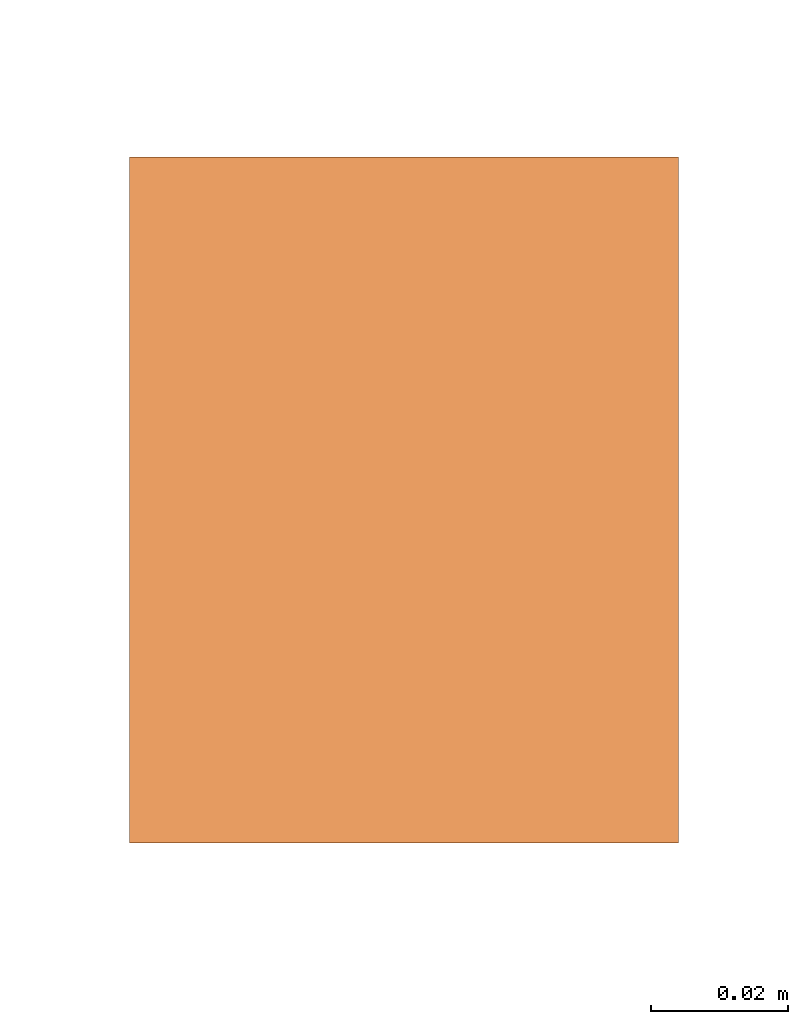
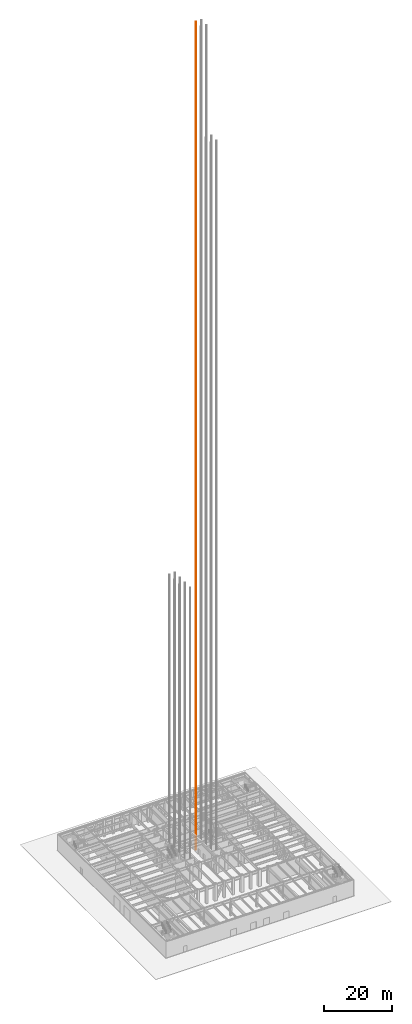
# One storey, part 34 of 35: 1 proxy.
"""IFC4 building model written with IfcOpenShell, lengths in metres."""

import ifcopenshell
import ifcopenshell.guid

model = None  # the IFC model being written
_history = None  # IfcOwnerHistory: only IFC2X3 demands one
_inside = {}  # id of a spatial element -> (the spatial element, [elements in it])
_under = {}  # id of a project, library or spatial element -> (it, [spatial elements below it])
_declared = {}  # id of a project -> (the project, [libraries it declares])
_typed = {}  # id of a type object -> (the type object, [elements of that type])
_made_of = {}  # id of a material, layer set ... -> (it, [elements and type objects made of it])


def new_model(schema):
    """Start an empty IFC model of exactly this schema.

    Asked for "IFC4X3", IfcOpenShell would pick the latest addendum, in which some entities
    have other attributes; the version numbers below select the first issue.
    IFC2X3 requires an IfcOwnerHistory on every rooted entity: one is made here for all.
    """
    global model, _history
    if schema == "IFC4X3":
        model = ifcopenshell.file(schema_version=(4, 3, 0, 0))
    else:
        model = ifcopenshell.file(schema=schema)
    _inside.clear()
    _under.clear()
    _declared.clear()
    _typed.clear()
    _made_of.clear()
    _history = None
    if model.schema == "IFC2X3":
        org = make("IfcOrganization", Name="unknown")
        user = make(
            "IfcPersonAndOrganization",
            ThePerson=make("IfcPerson", FamilyName="unknown"),
            TheOrganization=org,
        )
        app = make(
            "IfcApplication",
            ApplicationDeveloper=org,
            Version="unknown",
            ApplicationFullName="unknown",
            ApplicationIdentifier="unknown",
        )
        _history = make(
            "IfcOwnerHistory",
            OwningUser=user,
            OwningApplication=app,
            ChangeAction="ADDED",
            CreationDate=0,
        )
    return model


def make(cls, **values):
    """One entity of the class cls with the attributes given. An attribute that is None is left unset."""
    return model.create_entity(
        cls, **{name: value for name, value in values.items() if value is not None}
    )


def rooted(cls, **values):
    """An entity with a GlobalId (a new one), such as an element, a storey or a relation."""
    return make(cls, GlobalId=ifcopenshell.guid.new(), OwnerHistory=_history, **values)


def si_unit(unit_type, name, prefix=None):
    """IfcSIUnit, for example si_unit("LENGTHUNIT", "METRE", prefix="MILLI")."""
    return make("IfcSIUnit", UnitType=unit_type, Prefix=prefix, Name=name)


def assignment(units):
    """IfcUnitAssignment: the units of a project."""
    return None if units is None else make("IfcUnitAssignment", Units=units)


def point(xyz):
    """IfcCartesianPoint."""
    return None if xyz is None else make("IfcCartesianPoint", Coordinates=xyz)


def direction(xyz):
    """IfcDirection."""
    return None if xyz is None else make("IfcDirection", DirectionRatios=xyz)


def frame(location, z_axis=None, x_axis=None):
    """IfcAxis2Placement3D, a coordinate frame: its origin and axes. An axis left out is left unset."""
    return make(
        "IfcAxis2Placement3D",
        Location=point(location),
        Axis=direction(z_axis),
        RefDirection=direction(x_axis),
    )


def frame_2d(location, x_axis=None):
    """IfcAxis2Placement2D, a coordinate frame in the plane: its origin and x axis."""
    return make(
        "IfcAxis2Placement2D", Location=point(location), RefDirection=direction(x_axis)
    )


def origin():
    """The frame at (0, 0, 0) with its axes left unset."""
    return frame((0.0, 0.0, 0.0))


def origin_2d():
    """The frame at (0, 0) in the plane with its x axis left unset."""
    return frame_2d((0.0, 0.0))


def place(relative_to, where):
    """IfcLocalPlacement: puts the frame where relative to a parent placement (None: the world)."""
    return make(
        "IfcLocalPlacement", PlacementRelTo=relative_to, RelativePlacement=where
    )


def context(
    kind, dimensions, precision=None, world=None, true_north=None, identifier=None
):
    """IfcGeometricRepresentationContext, for example the 3D "Model" context."""
    return make(
        "IfcGeometricRepresentationContext",
        ContextIdentifier=identifier,
        ContextType=kind,
        CoordinateSpaceDimension=dimensions,
        Precision=precision,
        WorldCoordinateSystem=world,
        TrueNorth=true_north,
    )


def subcontext(parent, identifier, kind, view, scale=None):
    """IfcGeometricRepresentationSubContext, for example "Body" below "Model"."""
    return make(
        "IfcGeometricRepresentationSubContext",
        ContextIdentifier=identifier,
        ContextType=kind,
        ParentContext=parent,
        TargetScale=scale,
        TargetView=view,
    )


def project(units=None, contexts=None):
    """IfcProject with its units and contexts."""
    return rooted(
        "IfcProject",
        Name="project",
        RepresentationContexts=contexts,
        UnitsInContext=assignment(units),
    )


def spatial(cls, under=None, at=None, **own):
    """A site, building, storey or space (cls), placed at a placement, below another one or the project."""
    s = rooted(cls, ObjectPlacement=at, **own)
    if under is not None:
        _under.setdefault(under.id(), (under, []))[1].append(s)
    return s


def profile(cls, at=None, kind="AREA", **sizes):
    """A parametric profile (cls). Its sizes go by their IFC names, for example OverallWidth=200.0."""
    return make(cls, ProfileType=kind, Position=at, **sizes)


def rectangle(**sizes):
    """IfcRectangleProfileDef."""
    return profile("IfcRectangleProfileDef", **sizes)


def extrude(swept, where, along, depth):
    """IfcExtrudedAreaSolid: the profile swept, set in the frame where, extruded along a direction by depth."""
    return make(
        "IfcExtrudedAreaSolid",
        SweptArea=swept,
        Position=where,
        ExtrudedDirection=direction(along),
        Depth=depth,
    )


def shape(context_of_items, identifier, shape_type, items):
    """IfcShapeRepresentation: the items that make up one representation, for example the "Body"."""
    return make(
        "IfcShapeRepresentation",
        ContextOfItems=context_of_items,
        RepresentationIdentifier=identifier,
        RepresentationType=shape_type,
        Items=items,
    )


def material(Name=None, Category=None):
    """IfcMaterial."""
    return make("IfcMaterial", Name=Name, Category=Category)


def made_of(thing, what):
    """Note that an element or type object is made of a material, layer set ...; save() writes the relation."""
    if what is not None:
        _made_of.setdefault(what.id(), (what, []))[1].append(thing)
    return thing


def type_object(cls, material=None, **own):
    """A type object (cls), such as IfcWallType, which elements share."""
    return made_of(rooted(cls, **own), material)


def element(
    cls,
    number,
    at=None,
    inside=None,
    cuts=None,
    type_object=None,
    material=None,
    context=None,
    identifier="Body",
    shape_type=None,
    held_by="IfcProductDefinitionShape",
    body=None,
    shapes=None,
    **own,
):
    """One element of the class cls, such as IfcWall. Its Tag is "e" and its number.

    at: its placement. inside: the storey or other place that contains it. cuts: it is an
    opening in that element (IfcRelVoidsElement). A single representation is given by context,
    identifier, shape_type and body (its items); several are given by shapes. held_by: the class
    of the entity that holds the representations. save() writes the other relations.
    """
    e = rooted(cls, Tag="e%d" % number, ObjectPlacement=at, **own)
    if body is not None:
        shapes = [shape(context, identifier, shape_type, body)]
    if shapes is not None:
        e.Representation = make(held_by, Representations=shapes)
    if inside is not None:
        _inside.setdefault(inside.id(), (inside, []))[1].append(e)
    if cuts is not None:
        rooted(
            "IfcRelVoidsElement", RelatingBuildingElement=cuts, RelatedOpeningElement=e
        )
    if type_object is not None:
        _typed.setdefault(type_object.id(), (type_object, []))[1].append(e)
    return made_of(e, material)


def aggregate(whole, parts):
    """IfcRelAggregates: a whole, such as a stair, and the parts it consists of."""
    return rooted("IfcRelAggregates", RelatingObject=whole, RelatedObjects=parts)


def save(model, path):
    """Write the relations noted so far, then the file.

    IfcRelAggregates (storeys below a building ...), IfcRelContainedInSpatialStructure (elements
    in a storey), IfcRelDefinesByType, IfcRelAssociatesMaterial and IfcRelDeclares: one each for
    every whole, place, type object, material and project.
    """
    for whole, parts in _under.values():
        aggregate(whole, parts)
    for where, things in _inside.values():
        rooted(
            "IfcRelContainedInSpatialStructure",
            RelatedElements=things,
            RelatingStructure=where,
        )
    for kind, things in _typed.values():
        rooted("IfcRelDefinesByType", RelatedObjects=things, RelatingType=kind)
    for what, things in _made_of.values():
        rooted("IfcRelAssociatesMaterial", RelatedObjects=things, RelatingMaterial=what)
    for by, libraries in _declared.values():
        rooted("IfcRelDeclares", RelatingContext=by, RelatedDefinitions=libraries)
    model.write(path)


model = new_model("IFC4")

# Units and contexts
model_context = context("Model", 3, precision=1e-05, world=origin(), true_north=direction((0.0, 1.0)))
body_context = subcontext(model_context, "Body", "Model", "MODEL_VIEW")
ifc_project = project(units=[si_unit("LENGTHUNIT", "METRE"), si_unit("AREAUNIT", "SQUARE_METRE"), si_unit("VOLUMEUNIT", "CUBIC_METRE"), si_unit("PLANEANGLEUNIT", "RADIAN"), si_unit("MASSUNIT", "GRAM", prefix="KILO")], contexts=[model_context])

# Site, building, storey
site_placement = place(None, origin())
site = spatial("IfcSite", under=ifc_project, at=site_placement, CompositionType="ELEMENT")
building_placement = place(site_placement, origin())
building = spatial("IfcBuilding", under=site, at=building_placement, Name="Chuquiago Exchange Tower", CompositionType="ELEMENT")
storey_placement = place(building_placement, origin())
storey = spatial("IfcBuildingStorey", under=building, at=storey_placement, Name="L00", CompositionType="ELEMENT", Elevation=0.0)

# Proxy
ifc_material = material(Name="Galvanised steel guide rail", Category="steel")
building_element_proxy_type = type_object("IfcBuildingElementProxyType", Name="LR lift guide rail", PredefinedType="NOTDEFINED", material=ifc_material)
proxy_placement = place(storey_placement, frame((26.06494140625, 25.5, 0.0), z_axis=(0.0, 0.0, 1.0), x_axis=(1.0, 0.0, 0.0)))
element("IfcBuildingElementProxy", 1, at=proxy_placement, inside=storey, type_object=building_element_proxy_type, Name="Lift LS4 guide rail W", PredefinedType="NOTDEFINED", context=body_context, shape_type="SweptSolid", body=[
    extrude(rectangle(XDim=0.080078125, YDim=0.10009765625, at=origin_2d()), origin(), (0.0, 0.0, 1.0), 298.699951171875),
])

save(model, "model.ifc")
